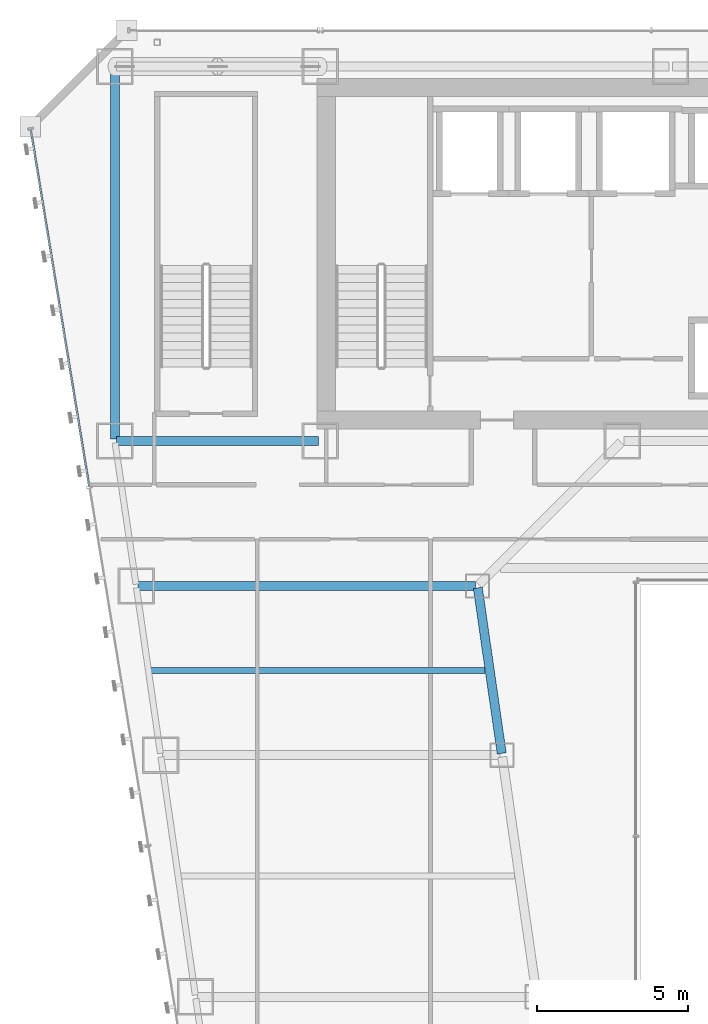
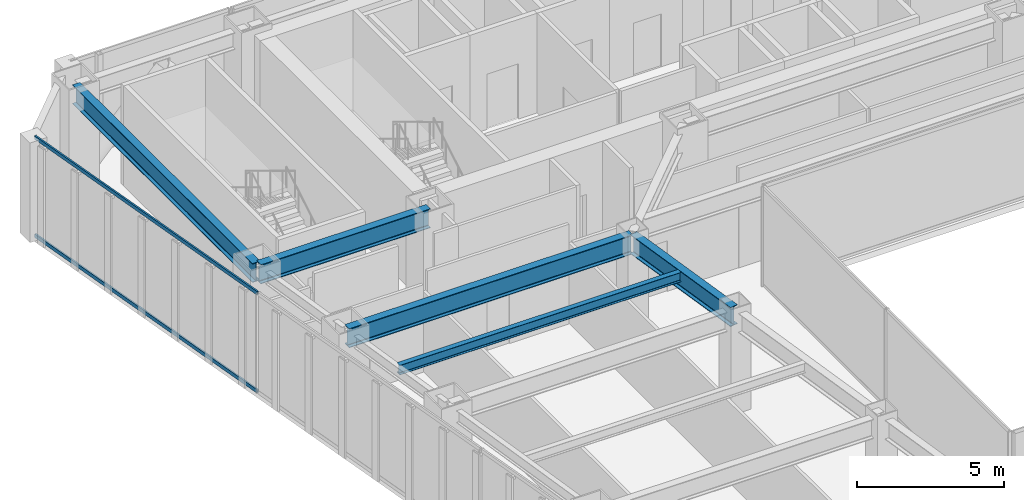
# One storey, part 23 of 47: 5 beams, 2 members, 1 element without a shape of its own.
"""IFC4 building model written with IfcOpenShell, lengths in metres."""

from ifc_helpers import new_model, si_unit, direction, frame, origin, origin_2d, place, context, subcontext, project, spatial, hollow_rectangle, i_section, extrude, material, material_profile, profile_set, type_object, element, aggregate, save


model = new_model("IFC4")

# Units and contexts
model_context = context("Model", 3, precision=1e-05, world=origin(), true_north=direction((0.0, 1.0)))
body_context = subcontext(model_context, "Body", "Model", "MODEL_VIEW")
ifc_project = project(units=[si_unit("LENGTHUNIT", "METRE"), si_unit("AREAUNIT", "SQUARE_METRE"), si_unit("VOLUMEUNIT", "CUBIC_METRE"), si_unit("PLANEANGLEUNIT", "RADIAN"), si_unit("MASSUNIT", "GRAM", prefix="KILO")], contexts=[model_context])

# Site, building, storey
site_placement = place(None, origin())
site = spatial("IfcSite", under=ifc_project, at=site_placement, CompositionType="ELEMENT")
building_placement = place(site_placement, origin())
building = spatial("IfcBuilding", under=site, at=building_placement, Name="Saevonmaru Cultural Tower", CompositionType="ELEMENT")
storey_placement = place(building_placement, frame((0.0, 0.0, 92.800048828125)))
storey = spatial("IfcBuildingStorey", under=building, at=storey_placement, Name="L19", CompositionType="ELEMENT", Elevation=92.800048828125)

# Beams
ifc_material_1 = material(Name="Steel SM420", Category="steel")
ifc_material_profile_1 = material_profile(ifc_material_1, i_section(OverallWidth=0.300048828125, OverallDepth=0.800048828125, WebThickness=0.013916015625, FlangeThickness=0.02587890625, FilletRadius=0.028076171875, at=origin_2d()), Name="H-800x300x14x26")
ifc_profile_set_1 = profile_set([ifc_material_profile_1], Name="Steel SM420")
beam_type_1 = type_object("IfcBeamType", Name="BM-G-H800", PredefinedType="BEAM", material=ifc_profile_set_1)
beam_1_placement = place(storey_placement, frame((6.860107421875, 42.39990234375, 3.75), z_axis=(1.0, 0.0, 0.0), x_axis=(0.0, 1.0, 0.0)))
element("IfcBeam", 1, at=beam_1_placement, inside=storey, type_object=beam_type_1, Name="L19 Core South Girder 1", PredefinedType="BEAM", context=body_context, shape_type="SweptSolid", body=[
    extrude(i_section(OverallWidth=0.300048828125, OverallDepth=0.800048828125, WebThickness=0.013916015625, FlangeThickness=0.02587890625, FilletRadius=0.028076171875, at=origin_2d()), origin(), (0.0, 0.0, 1.0), 6.679931640625),
])
beam_2_placement = place(storey_placement, frame((6.800048828125, 54.739990234375, 3.75), z_axis=(0.0, -1.0, 0.0), x_axis=(1.0, 0.0, 0.0)))
element("IfcBeam", 2, at=beam_2_placement, inside=storey, type_object=beam_type_1, Name="L19 Spine Transverse Girder W", PredefinedType="BEAM", context=body_context, shape_type="SweptSolid", body=[
    extrude(i_section(OverallWidth=0.300048828125, OverallDepth=0.800048828125, WebThickness=0.013916015625, FlangeThickness=0.02587890625, FilletRadius=0.028076171875, at=origin_2d()), origin(), (0.0, 0.0, 1.0), 12.280029296875),
])
beam_3_placement = place(storey_placement, frame((19.6083984375, 32.059326171875, 3.75), z_axis=(-0.142964121327, 0.989727871697, 0.0), x_axis=(-0.989727871697, -0.142964121327, 0.0)))
element("IfcBeam", 3, at=beam_3_placement, inside=storey, type_object=beam_type_1, Name="L19 West Atrium Girder 5", PredefinedType="BEAM", context=body_context, shape_type="SweptSolid", body=[
    extrude(i_section(OverallWidth=0.300048828125, OverallDepth=0.800048828125, WebThickness=0.013916015625, FlangeThickness=0.02587890625, FilletRadius=0.028076171875, at=origin_2d()), origin(), (0.0, 0.0, 1.0), 5.5380859375),
])
beam_4_placement = place(storey_placement, frame((7.568115234375, 37.60009765625, 3.75), z_axis=(1.0, 0.0, 0.0), x_axis=(0.0, 1.0, 0.0)))
element("IfcBeam", 4, at=beam_4_placement, inside=storey, type_object=beam_type_1, Name="L19 West Wing Transverse Girder 6", PredefinedType="BEAM", context=body_context, shape_type="SweptSolid", body=[
    extrude(i_section(OverallWidth=0.300048828125, OverallDepth=0.800048828125, WebThickness=0.013916015625, FlangeThickness=0.02587890625, FilletRadius=0.028076171875, at=origin_2d()), origin(), (0.0, 0.0, 1.0), 11.179931640625),
])
ifc_material_2 = material(Name="Steel SM355", Category="steel")
ifc_material_profile_2 = material_profile(ifc_material_2, i_section(OverallWidth=0.199951171875, OverallDepth=0.39990234375, WebThickness=0.008056640625, FlangeThickness=0.012939453125, FilletRadius=0.01611328125, at=origin_2d()), Name="H-400x200x8x13")
ifc_profile_set_2 = profile_set([ifc_material_profile_2], Name="Steel SM355")
beam_type_2 = type_object("IfcBeamType", Name="BM-J-H400", PredefinedType="JOIST", material=ifc_profile_set_2)
beam_5_placement = place(storey_placement, frame((7.972412109375, 34.800048828125, 3.949951171875), z_axis=(1.0, 0.0, 0.0), x_axis=(0.0, 1.0, 0.0)))
element("IfcBeam", 5, at=beam_5_placement, inside=storey, type_object=beam_type_2, Name="L19 West Wing Floor Joist 5", PredefinedType="JOIST", context=body_context, shape_type="SweptSolid", body=[
    extrude(i_section(OverallWidth=0.199951171875, OverallDepth=0.39990234375, WebThickness=0.008056640625, FlangeThickness=0.012939453125, FilletRadius=0.01611328125, at=origin_2d()), origin(), (0.0, 0.0, 1.0), 11.08203125),
])

# Curtain wall, members
ifc_material_3 = material(Name="Satin Bronze Anodised Aluminium", Category="aluminium")
curtain_wall_type = type_object("IfcCurtainWallType", Name="CW-TYP-A", PredefinedType="NOTDEFINED", material=ifc_material_3)
curtain_wall_placement = place(storey_placement, origin())
curtain_wall = element("IfcCurtainWall", 6, at=curtain_wall_placement, inside=storey, type_object=curtain_wall_type, Name="L19 Unitised Curtain Wall E12", PredefinedType="NOTDEFINED")
ifc_material_profile_3 = material_profile(ifc_material_3, hollow_rectangle(XDim=0.06494140625, YDim=0.14990234375, WallThickness=0.00390625, at=origin_2d()), Name="ALU-TRAN-150x65x4")
ifc_profile_set_3 = profile_set([ifc_material_profile_3], Name="Satin Bronze Anodised Aluminium")
member_type = type_object("IfcMemberType", Name="TR-CW-150x65", PredefinedType="USERDEFINED", material=ifc_profile_set_3)
member_1_placement = place(storey_placement, frame((4.014892578125, 52.708740234375, 0.032470703125), z_axis=(0.161724530373, -0.986835941925, 0.0), x_axis=(0.986835941925, 0.161724530373, 0.0)))
member_1 = element("IfcMember", 7, at=member_1_placement, type_object=member_type, Name="CW-TW-L19-E12 transom 1.1", ObjectType="TRANSOM", PredefinedType="USERDEFINED", context=body_context, shape_type="SweptSolid", body=[
    extrude(hollow_rectangle(XDim=0.06494140625, YDim=0.14990234375, WallThickness=0.00390625, at=origin_2d()), origin(), (0.0, 0.0, 1.0), 11.963623046875),
])
member_2_placement = place(storey_placement, frame((4.014892578125, 52.708740234375, 4.117431640625), z_axis=(0.161724530373, -0.986835941925, 0.0), x_axis=(0.986835941925, 0.161724530373, 0.0)))
member_2 = element("IfcMember", 8, at=member_2_placement, type_object=member_type, Name="CW-TW-L19-E12 transom 1.2", ObjectType="TRANSOM", PredefinedType="USERDEFINED", context=body_context, shape_type="SweptSolid", body=[
    extrude(hollow_rectangle(XDim=0.06494140625, YDim=0.14990234375, WallThickness=0.00390625, at=origin_2d()), origin(), (0.0, 0.0, 1.0), 11.963623046875),
])
aggregate(curtain_wall, [member_1, member_2])

save(model, "model.ifc")
